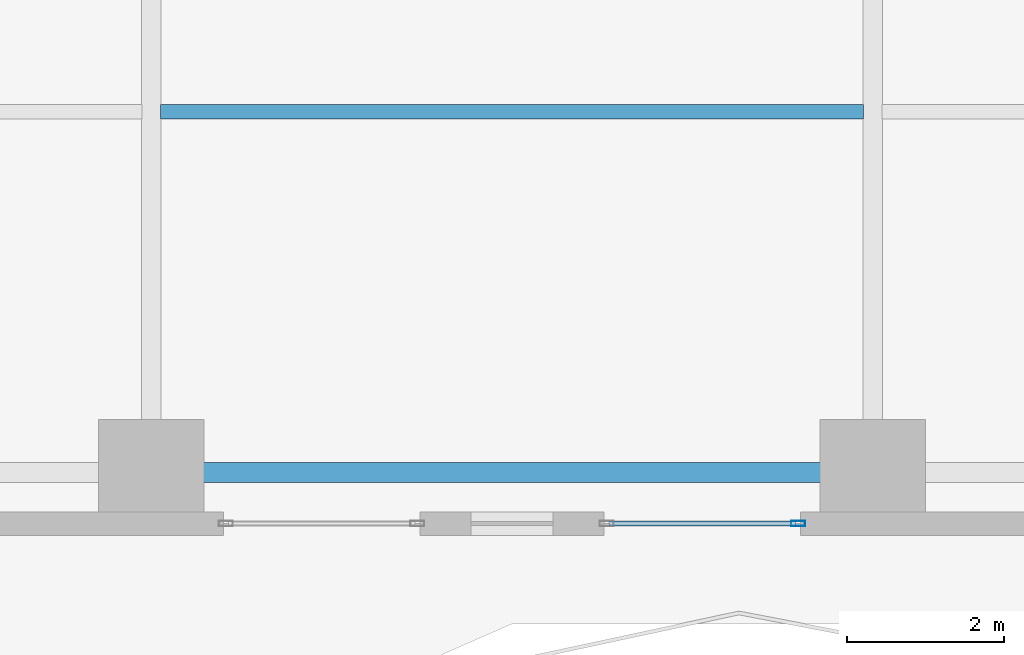
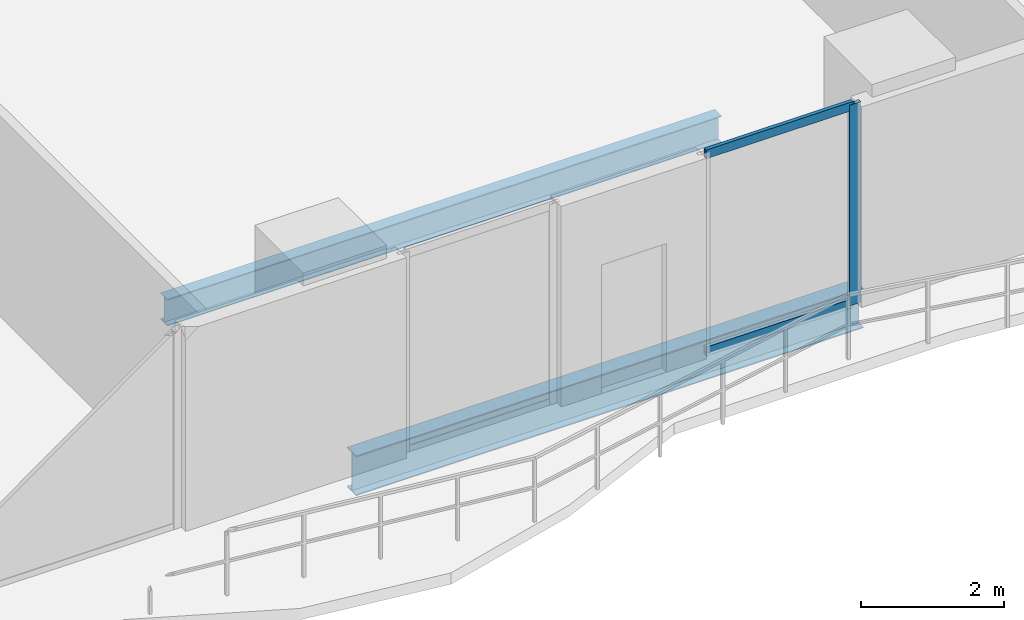
# One storey, part 5 of 29: 3 members, 2 beams, 1 element without a shape of its own.
"""IFC4 building model written with IfcOpenShell, lengths in metres."""

from ifc_helpers import new_model, si_unit, direction, frame, origin, origin_2d, place, context, subcontext, project, spatial, hollow_rectangle, i_section, extrude, material, layer, layer_set, material_profile, profile_set, type_object, element, aggregate, save


model = new_model("IFC4")

# Units and contexts
model_context = context("Model", 3, precision=1e-05, world=origin(), true_north=direction((0.0, 1.0)))
body_context = subcontext(model_context, "Body", "Model", "MODEL_VIEW")
ifc_project = project(units=[si_unit("LENGTHUNIT", "METRE"), si_unit("AREAUNIT", "SQUARE_METRE"), si_unit("VOLUMEUNIT", "CUBIC_METRE"), si_unit("PLANEANGLEUNIT", "RADIAN"), si_unit("MASSUNIT", "GRAM", prefix="KILO")], contexts=[model_context])

# Site, building, storey
site_placement = place(None, origin())
site = spatial("IfcSite", under=ifc_project, at=site_placement, CompositionType="ELEMENT")
building_placement = place(site_placement, origin())
building = spatial("IfcBuilding", under=site, at=building_placement, Name="Zuhayl Quay Hotel", CompositionType="ELEMENT")
storey_placement = place(building_placement, frame((0.0, 0.0, 106.60009765625)))
storey = spatial("IfcBuildingStorey", under=building, at=storey_placement, Name="L26", CompositionType="ELEMENT", Elevation=106.60009765625)

# Beams
ifc_material_1 = material(Name="Steel ASTM A992 Grade 50", Category="steel")
ifc_material_profile_1 = material_profile(ifc_material_1, i_section(OverallWidth=0.25390625, OverallDepth=0.68310546875, WebThickness=0.012451171875, FlangeThickness=0.018798828125, at=origin_2d()), Name="W27X94")
ifc_profile_set_1 = profile_set([ifc_material_profile_1], Name="Steel ASTM A992 Grade 50")
beam_type_1 = type_object("IfcBeamType", Name="BM_B2_W27X94", PredefinedType="BEAM", material=ifc_profile_set_1)
beam_1_placement = place(storey_placement, frame((-4.10009765625, -14.75, -0.5615234375), z_axis=(1.0, 0.0, 0.0), x_axis=(0.0, 1.0, 0.0)))
element("IfcBeam", 1, at=beam_1_placement, inside=storey, type_object=beam_type_1, Name="L26 Floor Beam RG_L26_02", PredefinedType="BEAM", context=body_context, shape_type="SweptSolid", body=[
    extrude(i_section(OverallWidth=0.25390625, OverallDepth=0.68310546875, WebThickness=0.012451171875, FlangeThickness=0.018798828125, at=origin_2d()), origin(), (0.0, 0.0, 1.0), 8.2001953125),
])
ifc_material_profile_2 = material_profile(ifc_material_1, i_section(OverallWidth=0.18994140625, OverallDepth=0.45703125, WebThickness=0.009033203125, FlangeThickness=0.014404296875, at=origin_2d()), Name="W18X50")
ifc_profile_set_2 = profile_set([ifc_material_profile_2], Name="Steel ASTM A992 Grade 50")
beam_type_2 = type_object("IfcBeamType", Name="BM_J2_W18X50", PredefinedType="JOIST", material=ifc_profile_set_2)
beam_2_placement = place(storey_placement, frame((-4.48095703125, -10.14990234375, -0.448486328125), z_axis=(1.0, 0.0, 0.0), x_axis=(0.0, 1.0, 0.0)))
element("IfcBeam", 2, at=beam_2_placement, inside=storey, type_object=beam_type_2, Name="L26 Floor Beam FJ_L26_5_2", PredefinedType="JOIST", context=body_context, shape_type="SweptSolid", body=[
    extrude(i_section(OverallWidth=0.18994140625, OverallDepth=0.45703125, WebThickness=0.009033203125, FlangeThickness=0.014404296875, at=origin_2d()), origin(), (0.0, 0.0, 1.0), 8.9619140625),
])

# Curtain wall, members
ifc_material_2 = material(Name="Anodised Aluminium 6063-T6", Category="aluminium")
ifc_layer = layer(ifc_material_2, 0.179931640625, Name="Anodised Aluminium 6063-T6", Category="aluminium")
ifc_layer_set = layer_set([ifc_layer], Name="Anodised Aluminium 6063-T6")
curtain_wall_type = type_object("IfcCurtainWallType", Name="CW_SYS_Z2", PredefinedType="USERDEFINED", material=ifc_layer_set)
curtain_wall_placement = place(storey_placement, origin())
curtain_wall = element("IfcCurtainWall", 3, at=curtain_wall_placement, inside=storey, type_object=curtain_wall_type, Name="L26 Curtain Wall ENV_L26_S_CW3", ObjectType="UNITISED CURTAIN WALL", PredefinedType="USERDEFINED")
ifc_material_3 = material(Name="Black-anodised aluminium 6063-T6", Category="aluminium")
ifc_material_profile_3 = material_profile(ifc_material_3, hollow_rectangle(XDim=0.06494140625, YDim=0.179931640625, WallThickness=0.00341796875, at=origin_2d()), Name="ALU180X65")
ifc_profile_set_3 = profile_set([ifc_material_profile_3], Name="Black-anodised aluminium 6063-T6")
member_type_1 = type_object("IfcMemberType", Name="MB_CW_MUL_180", PredefinedType="MULLION", material=ifc_profile_set_3)
member_1_placement = place(storey_placement, frame((3.6474609375, -15.39990234375, 0.0), z_axis=(0.0, 0.0, 1.0), x_axis=(0.0, -1.0, 0.0)))
member_1 = element("IfcMember", 4, at=member_1_placement, type_object=member_type_1, Name="CW-Z2 mullion 1", PredefinedType="MULLION", context=body_context, shape_type="SweptSolid", body=[
    extrude(hollow_rectangle(XDim=0.06494140625, YDim=0.179931640625, WallThickness=0.00341796875, at=origin_2d()), origin(), (0.0, 0.0, 1.0), 3.429931640625),
])
ifc_material_profile_4 = material_profile(ifc_material_3, hollow_rectangle(XDim=0.06005859375, YDim=0.14990234375, WallThickness=0.00341796875, at=origin_2d()), Name="ALU150X60")
ifc_profile_set_4 = profile_set([ifc_material_profile_4], Name="Black-anodised aluminium 6063-T6")
member_type_2 = type_object("IfcMemberType", Name="MB_CW_TRN_150", PredefinedType="USERDEFINED", material=ifc_profile_set_4)
member_2_placement = place(storey_placement, frame((3.614990234375, -15.39990234375, 0.02978515625), z_axis=(-1.0, 0.0, 0.0), x_axis=(0.0, -1.0, 0.0)))
member_2 = element("IfcMember", 5, at=member_2_placement, type_object=member_type_2, Name="CW-Z2 transom 1.1", ObjectType="TRANSOM", PredefinedType="USERDEFINED", context=body_context, shape_type="SweptSolid", body=[
    extrude(hollow_rectangle(XDim=0.06005859375, YDim=0.14990234375, WallThickness=0.00341796875, at=origin_2d()), origin(), (0.0, 0.0, 1.0), 2.375),
])
member_3_placement = place(storey_placement, frame((3.614990234375, -15.39990234375, 3.39990234375), z_axis=(-1.0, 0.0, 0.0), x_axis=(0.0, -1.0, 0.0)))
member_3 = element("IfcMember", 6, at=member_3_placement, type_object=member_type_2, Name="CW-Z2 transom 1.2", ObjectType="TRANSOM", PredefinedType="USERDEFINED", context=body_context, shape_type="SweptSolid", body=[
    extrude(hollow_rectangle(XDim=0.06005859375, YDim=0.14990234375, WallThickness=0.00341796875, at=origin_2d()), origin(), (0.0, 0.0, 1.0), 2.375),
])
aggregate(curtain_wall, [member_1, member_2, member_3])

save(model, "model.ifc")
